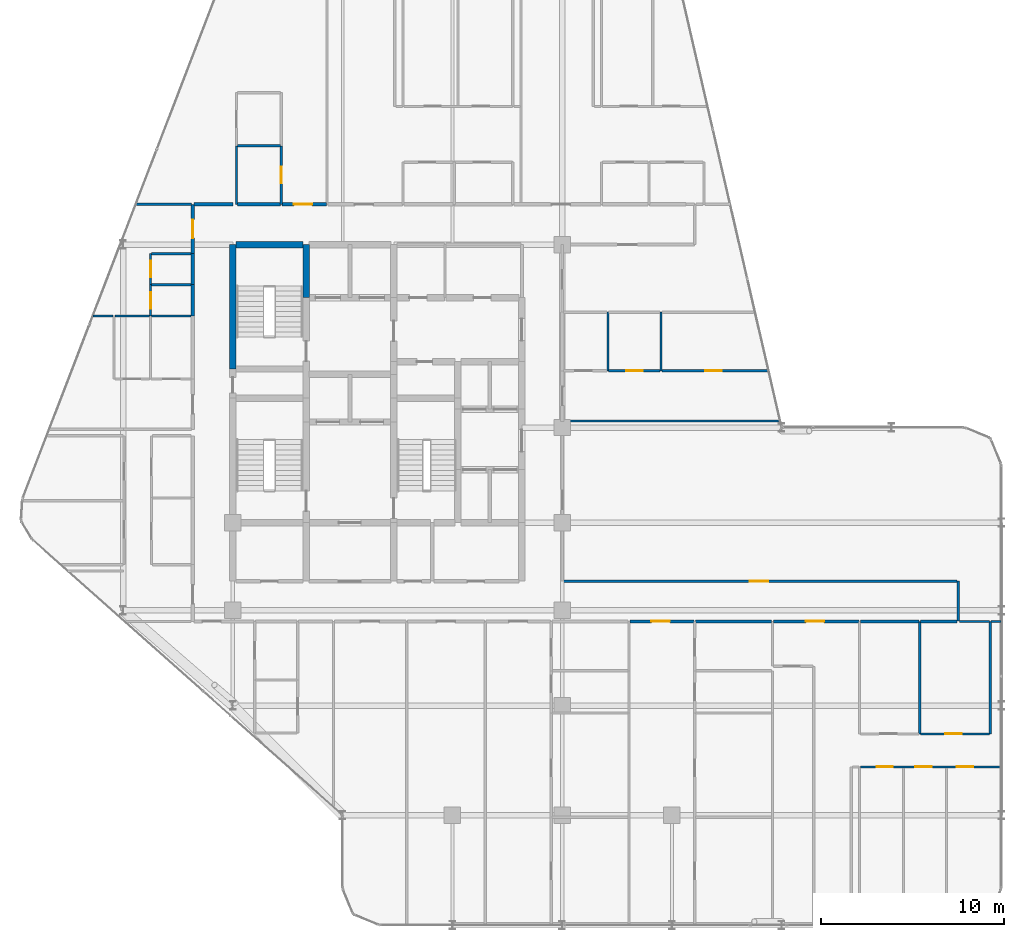
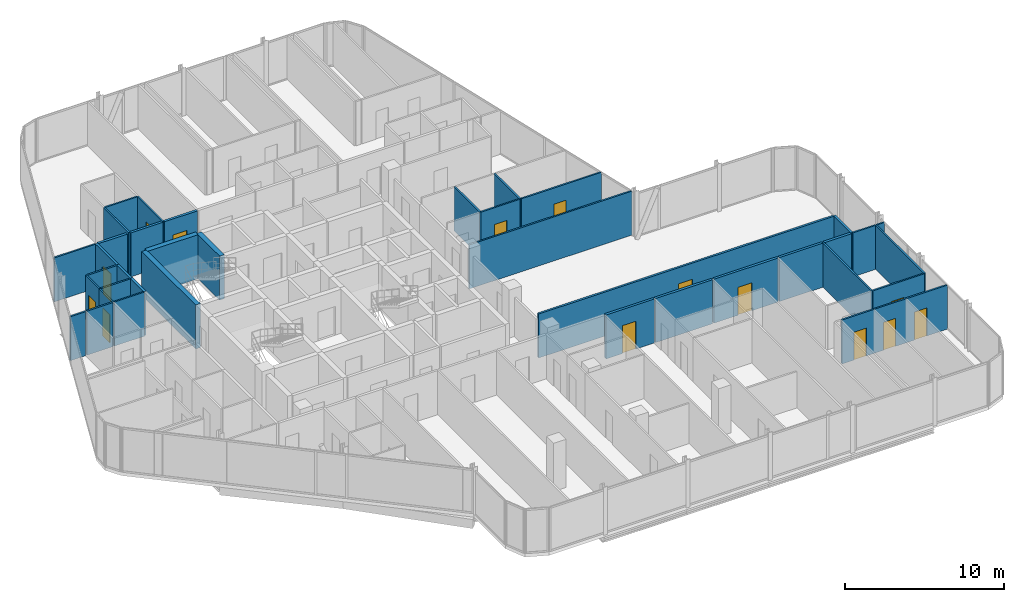
# One storey, part 26 of 29: 38 walls, 14 doors, 14 openings.
"""IFC4 building model written with IfcOpenShell, lengths in metres."""

from ifc_helpers import new_model, si_unit, direction, frame, frame_2d, origin, place, context, subcontext, project, spatial, rectangle, extrude, material, layer, layer_set, type_object, element, fill, save


model = new_model("IFC4")

# Units and contexts
model_context = context("Model", 3, precision=1e-05, world=origin(), true_north=direction((0.0, 1.0)))
body_context = subcontext(model_context, "Body", "Model", "MODEL_VIEW")
ifc_project = project(units=[si_unit("LENGTHUNIT", "METRE"), si_unit("AREAUNIT", "SQUARE_METRE"), si_unit("VOLUMEUNIT", "CUBIC_METRE"), si_unit("PLANEANGLEUNIT", "RADIAN"), si_unit("MASSUNIT", "GRAM", prefix="KILO")], contexts=[model_context])

# Site, building, storey
site_placement = place(None, origin())
site = spatial("IfcSite", under=ifc_project, at=site_placement, CompositionType="ELEMENT")
building_placement = place(site_placement, origin())
building = spatial("IfcBuilding", under=site, at=building_placement, Name="Keshet Zoharim Tower", CompositionType="ELEMENT")
storey_placement = place(building_placement, frame((0.0, 0.0, 199.5)))
storey = spatial("IfcBuildingStorey", under=building, at=storey_placement, Name="L49", CompositionType="ELEMENT", Elevation=199.5)

# Wall
ifc_material_1 = material(Name="Gypsum Plasterboard", Category="gypsum")
ifc_layer_1 = layer(ifc_material_1, 0.14990234375)
ifc_layer_set_1 = layer_set([ifc_layer_1], Name="Gypsum Plasterboard")
wall_type_1 = type_object("IfcWallType", Name="WL-CLIN-150", PredefinedType="STANDARD", material=ifc_layer_set_1)
wall_1_placement = place(storey_placement, frame((54.64990234375, 17.31005859375, 0.0), z_axis=(0.0, 0.0, 1.0), x_axis=(0.0, 1.0, 0.0)))
element("IfcWall", 1, at=wall_1_placement, inside=storey, type_object=wall_type_1, Name="L49 Interior Wall 100", PredefinedType="STANDARD", context=body_context, shape_type="SweptSolid", body=[
    extrude(rectangle(XDim=2.18994140625, YDim=0.14990234375, at=frame_2d((1.094970703125, 0.0))), origin(), (0.0, 0.0, 1.0), 3.389892578125),
])

# Wall, opening, door
wall_2_placement = place(storey_placement, frame((33.070068359375, 19.5, 0.0), z_axis=(0.0, 0.0, 1.0), x_axis=(1.0, 0.0, 0.0)))
wall_2 = element("IfcWall", 2, at=wall_2_placement, inside=storey, type_object=wall_type_1, Name="L49 Interior Wall 134", PredefinedType="STANDARD", context=body_context, shape_type="SweptSolid", body=[
    extrude(rectangle(XDim=21.510009765625, YDim=0.14990234375, at=frame_2d((10.7548828125, 0.0))), origin(), (0.0, 0.0, 1.0), 3.389892578125),
])
opening_1_placement = place(wall_2_placement, frame((10.18505859375, 0.0, 0.0)))
opening_1 = element("IfcOpeningElement", 3, at=opening_1_placement, cuts=wall_2, Name="Opening D-F310", PredefinedType="OPENING", context=body_context, shape_type="SweptSolid", body=[
    extrude(rectangle(XDim=1.0, YDim=2.14990234375, at=frame_2d((0.5, 1.074951171875))), frame((0.0, 0.0849609375, 0.0), z_axis=(0.0, -1.0, 0.0), x_axis=(1.0, 0.0, 0.0)), (0.0, 0.0, 1.0), 0.169921875),
])
ifc_material_2 = material(Name="Hardwood Timber", Category="wood")
door_type_1 = type_object("IfcDoorType", Name="DR-FD30-100", OperationType="NOTDEFINED", PredefinedType="DOOR", material=ifc_material_2)
door_1_placement = place(opening_1_placement, origin())
door_1 = element("IfcDoor", 4, at=door_1_placement, inside=storey, type_object=door_type_1, Name="L49 South East Residents Services Suite Door 1", OperationType="SINGLE_SWING_LEFT", OverallHeight=2.14990234375, OverallWidth=1.0, PredefinedType="DOOR", context=body_context, shape_type="SweptSolid", body=[
    extrude(rectangle(XDim=1.0, YDim=2.14990234375, at=frame_2d((0.5, 1.074951171875))), frame((0.0, 0.02490234375, 0.0), z_axis=(0.0, -1.0, 0.0), x_axis=(1.0, 0.0, 0.0)), (0.0, 0.0, 1.0), 0.050048828125),
])
fill(opening_1, door_1)

# Walls
ifc_material_3 = material(Name="Concrete C60/75", Category="concrete")
ifc_layer_2 = layer(ifc_material_3, 0.35009765625)
ifc_layer_set_2 = layer_set([ifc_layer_2], Name="Concrete C60/75")
wall_type_2 = type_object("IfcWallType", Name="WL-CORE-350", PredefinedType="SHEAR", material=ifc_layer_set_2)
wall_3_placement = place(storey_placement, frame((15.0, 31.10009765625, 0.0), z_axis=(0.0, 0.0, 1.0), x_axis=(0.0, 1.0, 0.0)))
element("IfcWall", 5, at=wall_3_placement, inside=storey, type_object=wall_type_2, Name="L49 Core Shear Wall 019", PredefinedType="SHEAR", context=body_context, shape_type="SweptSolid", body=[
    extrude(rectangle(XDim=6.7998046875, YDim=0.35009765625, at=frame_2d((3.39990234375, 0.0))), origin(), (0.0, 0.0, 1.0), 3.389892578125),
])
wall_4_placement = place(storey_placement, frame((19.0, 35.0, 0.0), z_axis=(0.0, 0.0, 1.0), x_axis=(0.0, 1.0, 0.0)))
element("IfcWall", 6, at=wall_4_placement, inside=storey, type_object=wall_type_2, Name="L49 Core Shear Wall 032", PredefinedType="SHEAR", context=body_context, shape_type="SweptSolid", body=[
    extrude(rectangle(XDim=2.89990234375, YDim=0.35009765625, at=frame_2d((1.449951171875, 0.0))), origin(), (0.0, 0.0, 1.0), 3.389892578125),
])
wall_5_placement = place(storey_placement, frame((15.159912109375, 37.89990234375, 0.0), z_axis=(0.0, 0.0, 1.0), x_axis=(1.0, 0.0, 0.0)))
element("IfcWall", 7, at=wall_5_placement, inside=storey, type_object=wall_type_2, Name="L49 Core Shear Wall 175", PredefinedType="SHEAR", context=body_context, shape_type="SweptSolid", body=[
    extrude(rectangle(XDim=3.68017578125, YDim=0.35009765625, at=frame_2d((1.840087890625, 0.0))), origin(), (0.0, 0.0, 1.0), 3.389892578125),
])
ifc_layer_3 = layer(ifc_material_1, 0.179931640625)
ifc_layer_set_3 = layer_set([ifc_layer_3], Name="Gypsum Plasterboard")
wall_type_3 = type_object("IfcWallType", Name="WL-CORR-180", PredefinedType="STANDARD", material=ifc_layer_set_3)
for number, where, z_axis, x_axis, name in (
    (8, (12.800048828125, 34.0, 0.0), (0.0, 0.0, 1.0), (0.0, 1.0, 0.0), "L49 Interior Wall 013"),
    (9, (12.800048828125, 35.7080078125, 0.0), (0.0, 0.0, 1.0), (0.0, 1.0, 0.0), "L49 Interior Wall 014"),
):
    element("IfcWall", number, at=place(storey_placement, frame(where, z_axis=z_axis, x_axis=x_axis)), inside=storey, type_object=wall_type_3, Name=name, PredefinedType="STANDARD", context=body_context, shape_type="SweptSolid", body=[
        extrude(rectangle(XDim=1.7080078125, YDim=0.179931640625, at=frame_2d((0.85400390625, 0.0))), origin(), (0.0, 0.0, 1.0), 3.389892578125),
    ])

# Wall, opening, door
wall_6_placement = place(storey_placement, frame((12.800048828125, 37.416015625, 0.0), z_axis=(0.0, 0.0, 1.0), x_axis=(0.0, 1.0, 0.0)))
wall_6 = element("IfcWall", 10, at=wall_6_placement, inside=storey, type_object=wall_type_3, Name="L49 Interior Wall 015", PredefinedType="STANDARD", context=body_context, shape_type="SweptSolid", body=[
    extrude(rectangle(XDim=2.68408203125, YDim=0.179931640625, at=frame_2d((1.342041015625, 0.0))), origin(), (0.0, 0.0, 1.0), 3.389892578125),
])
opening_2_placement = place(wall_6_placement, frame((0.842041015625, 0.0, 0.0)))
opening_2 = element("IfcOpeningElement", 11, at=opening_2_placement, cuts=wall_6, Name="Opening D-F310", PredefinedType="OPENING", context=body_context, shape_type="SweptSolid", body=[
    extrude(rectangle(XDim=1.0, YDim=2.14990234375, at=frame_2d((0.5, 1.074951171875))), frame((0.0, 0.10009765625, 0.0), z_axis=(0.0, -1.0, 0.0), x_axis=(1.0, 0.0, 0.0)), (0.0, 0.0, 1.0), 0.199951171875),
])
door_2_placement = place(opening_2_placement, origin())
door_2 = element("IfcDoor", 12, at=door_2_placement, inside=storey, type_object=door_type_1, Name="Apartment 4910 Entrance Door", OperationType="SINGLE_SWING_RIGHT", OverallHeight=2.14990234375, OverallWidth=1.0, PredefinedType="DOOR", context=body_context, shape_type="SweptSolid", body=[
    extrude(rectangle(XDim=1.0, YDim=2.14990234375, at=frame_2d((0.5, 1.074951171875))), frame((0.0, 0.02490234375, 0.0), z_axis=(0.0, -1.0, 0.0), x_axis=(1.0, 0.0, 0.0)), (0.0, 0.0, 1.0), 0.050048828125),
])
fill(opening_2, door_2)

wall_7_placement = place(storey_placement, frame((36.695068359375, 17.300048828125, 0.0), z_axis=(0.0, 0.0, 1.0), x_axis=(1.0, 0.0, 0.0)))
wall_7 = element("IfcWall", 13, at=wall_7_placement, inside=storey, type_object=wall_type_3, Name="L49 Interior Wall 123", PredefinedType="STANDARD", context=body_context, shape_type="SweptSolid", body=[
    extrude(rectangle(XDim=3.510009765625, YDim=0.179931640625, at=frame_2d((1.7548828125, 0.0))), origin(), (0.0, 0.0, 1.0), 3.389892578125),
])
opening_3_placement = place(wall_7_placement, frame((1.18505859375, 0.0, 0.0)))
opening_3 = element("IfcOpeningElement", 14, at=opening_3_placement, cuts=wall_7, Name="Opening D-F310", PredefinedType="OPENING", context=body_context, shape_type="SweptSolid", body=[
    extrude(rectangle(XDim=1.0, YDim=2.14990234375, at=frame_2d((0.5, 1.074951171875))), frame((0.0, 0.10009765625, 0.0), z_axis=(0.0, -1.0, 0.0), x_axis=(1.0, 0.0, 0.0)), (0.0, 0.0, 1.0), 0.199951171875),
])
door_3_placement = place(opening_3_placement, origin())
door_3 = element("IfcDoor", 15, at=door_3_placement, inside=storey, type_object=door_type_1, Name="Apartment 4903 Entrance Door", OperationType="SINGLE_SWING_LEFT", OverallHeight=2.14990234375, OverallWidth=1.0, PredefinedType="DOOR", context=body_context, shape_type="SweptSolid", body=[
    extrude(rectangle(XDim=1.0, YDim=2.14990234375, at=frame_2d((0.5, 1.074951171875))), frame((0.0, 0.02490234375, 0.0), z_axis=(0.0, -1.0, 0.0), x_axis=(1.0, 0.0, 0.0)), (0.0, 0.0, 1.0), 0.050048828125),
])
fill(opening_3, door_3)

# Wall
wall_8_placement = place(storey_placement, frame((40.294921875, 17.300048828125, 0.0), z_axis=(0.0, 0.0, 1.0), x_axis=(1.0, 0.0, 0.0)))
element("IfcWall", 16, at=wall_8_placement, inside=storey, type_object=wall_type_3, Name="L49 Interior Wall 124", PredefinedType="STANDARD", context=body_context, shape_type="SweptSolid", body=[
    extrude(rectangle(XDim=4.16015625, YDim=0.179931640625, at=frame_2d((2.080078125, 0.0))), origin(), (0.0, 0.0, 1.0), 3.389892578125),
])

# Wall, opening, door
wall_9_placement = place(storey_placement, frame((44.544921875, 17.300048828125, 0.0), z_axis=(0.0, 0.0, 1.0), x_axis=(1.0, 0.0, 0.0)))
wall_9 = element("IfcWall", 17, at=wall_9_placement, inside=storey, type_object=wall_type_3, Name="L49 Interior Wall 125", PredefinedType="STANDARD", context=body_context, shape_type="SweptSolid", body=[
    extrude(rectangle(XDim=4.68017578125, YDim=0.179931640625, at=frame_2d((2.340087890625, 0.0))), origin(), (0.0, 0.0, 1.0), 3.389892578125),
])
opening_4_placement = place(wall_9_placement, frame((1.76904296875, 0.0, 0.0)))
opening_4 = element("IfcOpeningElement", 18, at=opening_4_placement, cuts=wall_9, Name="Opening D-F310", PredefinedType="OPENING", context=body_context, shape_type="SweptSolid", body=[
    extrude(rectangle(XDim=1.0, YDim=2.14990234375, at=frame_2d((0.5, 1.074951171875))), frame((0.0, 0.10009765625, 0.0), z_axis=(0.0, -1.0, 0.0), x_axis=(1.0, 0.0, 0.0)), (0.0, 0.0, 1.0), 0.199951171875),
])
door_4_placement = place(opening_4_placement, origin())
door_4 = element("IfcDoor", 19, at=door_4_placement, inside=storey, type_object=door_type_1, Name="Apartment 4904 Entrance Door", OperationType="SINGLE_SWING_RIGHT", OverallHeight=2.14990234375, OverallWidth=1.0, PredefinedType="DOOR", context=body_context, shape_type="SweptSolid", body=[
    extrude(rectangle(XDim=1.0, YDim=2.14990234375, at=frame_2d((0.5, 1.074951171875))), frame((0.0, 0.02490234375, 0.0), z_axis=(0.0, -1.0, 0.0), x_axis=(1.0, 0.0, 0.0)), (0.0, 0.0, 1.0), 0.050048828125),
])
fill(opening_4, door_4)

# Walls
wall_10_placement = place(storey_placement, frame((49.31494140625, 17.300048828125, 0.0), z_axis=(0.0, 0.0, 1.0), x_axis=(1.0, 0.0, 0.0)))
element("IfcWall", 20, at=wall_10_placement, inside=storey, type_object=wall_type_3, Name="L49 Interior Wall 126", PredefinedType="STANDARD", context=body_context, shape_type="SweptSolid", body=[
    extrude(rectangle(XDim=3.18505859375, YDim=0.179931640625, at=frame_2d((1.592529296875, 0.0))), origin(), (0.0, 0.0, 1.0), 3.389892578125),
])
wall_11_placement = place(storey_placement, frame((52.590087890625, 17.300048828125, 0.0), z_axis=(0.0, 0.0, 1.0), x_axis=(1.0, 0.0, 0.0)))
element("IfcWall", 21, at=wall_11_placement, inside=storey, type_object=wall_type_3, Name="L49 Interior Wall 127", PredefinedType="STANDARD", context=body_context, shape_type="SweptSolid", body=[
    extrude(rectangle(XDim=1.989990234375, YDim=0.179931640625, at=frame_2d((0.9951171875, 0.0))), origin(), (0.0, 0.0, 1.0), 3.389892578125),
])
wall_12_placement = place(storey_placement, frame((12.875, 40.10009765625, 0.0), z_axis=(0.0, 0.0, 1.0), x_axis=(1.0, 0.0, 0.0)))
element("IfcWall", 22, at=wall_12_placement, inside=storey, type_object=wall_type_3, Name="L49 Interior Wall 181", PredefinedType="STANDARD", context=body_context, shape_type="SweptSolid", body=[
    extrude(rectangle(XDim=2.125, YDim=0.179931640625, at=frame_2d((1.0625, 0.0))), origin(), (0.0, 0.0, 1.0), 3.389892578125),
])
wall_13_placement = place(storey_placement, frame((15.2451171875, 40.10009765625, 0.0), z_axis=(0.0, 0.0, 1.0), x_axis=(1.0, 0.0, 0.0)))
element("IfcWall", 23, at=wall_13_placement, inside=storey, type_object=wall_type_3, Name="L49 Interior Wall 182", PredefinedType="STANDARD", context=body_context, shape_type="SweptSolid", body=[
    extrude(rectangle(XDim=2.35986328125, YDim=0.179931640625, at=frame_2d((1.179931640625, 0.0))), origin(), (0.0, 0.0, 1.0), 3.389892578125),
])

# Wall, opening, door
wall_14_placement = place(storey_placement, frame((17.695068359375, 40.10009765625, 0.0), z_axis=(0.0, 0.0, 1.0), x_axis=(1.0, 0.0, 0.0)))
wall_14 = element("IfcWall", 24, at=wall_14_placement, inside=storey, type_object=wall_type_3, Name="L49 Interior Wall 183", PredefinedType="STANDARD", context=body_context, shape_type="SweptSolid", body=[
    extrude(rectangle(XDim=2.409912109375, YDim=0.179931640625, at=frame_2d((1.205078125, 0.0))), origin(), (0.0, 0.0, 1.0), 3.389892578125),
])
opening_5_placement = place(wall_14_placement, frame((0.634033203125, 0.0, 0.0)))
opening_5 = element("IfcOpeningElement", 25, at=opening_5_placement, cuts=wall_14, Name="Opening D-F310", PredefinedType="OPENING", context=body_context, shape_type="SweptSolid", body=[
    extrude(rectangle(XDim=1.0, YDim=2.14990234375, at=frame_2d((0.5, 1.074951171875))), frame((0.0, 0.10009765625, 0.0), z_axis=(0.0, -1.0, 0.0), x_axis=(1.0, 0.0, 0.0)), (0.0, 0.0, 1.0), 0.199951171875),
])
door_5_placement = place(opening_5_placement, origin())
door_5 = element("IfcDoor", 26, at=door_5_placement, inside=storey, type_object=door_type_1, Name="Apartment 4905 Entrance Door", OperationType="SINGLE_SWING_RIGHT", OverallHeight=2.14990234375, OverallWidth=1.0, PredefinedType="DOOR", context=body_context, shape_type="SweptSolid", body=[
    extrude(rectangle(XDim=1.0, YDim=2.14990234375, at=frame_2d((0.5, 1.074951171875))), frame((0.0, 0.02490234375, 0.0), z_axis=(0.0, -1.0, 0.0), x_axis=(1.0, 0.0, 0.0)), (0.0, 0.0, 1.0), 0.050048828125),
])
fill(opening_5, door_5)

ifc_layer_4 = layer(ifc_material_1, 0.1201171875)
ifc_layer_set_4 = layer_set([ifc_layer_4], Name="Gypsum Plasterboard")
wall_type_4 = type_object("IfcWallType", Name="WL-PART-120", PredefinedType="PARTITIONING", material=ifc_layer_set_4)
wall_15_placement = place(storey_placement, frame((10.5, 34.0, 0.0), z_axis=(0.0, 0.0, 1.0), x_axis=(0.0, 1.0, 0.0)))
wall_15 = element("IfcWall", 27, at=wall_15_placement, inside=storey, type_object=wall_type_4, Name="L49 Interior Wall 004", PredefinedType="PARTITIONING", context=body_context, shape_type="SweptSolid", body=[
    extrude(rectangle(XDim=1.7080078125, YDim=0.1201171875, at=frame_2d((0.85400390625, 0.0))), origin(), (0.0, 0.0, 1.0), 3.389892578125),
])
opening_6_placement = place(wall_15_placement, frame((0.404052734375, 0.0, 0.0)))
opening_6 = element("IfcOpeningElement", 28, at=opening_6_placement, cuts=wall_15, Name="Opening D-IN90", PredefinedType="OPENING", context=body_context, shape_type="SweptSolid", body=[
    extrude(rectangle(XDim=0.89990234375, YDim=2.14990234375, at=frame_2d((0.449951171875, 1.074951171875))), frame((0.0, 0.070068359375, 0.0), z_axis=(0.0, -1.0, 0.0), x_axis=(1.0, 0.0, 0.0)), (0.0, 0.0, 1.0), 0.14013671875),
])
door_type_2 = type_object("IfcDoorType", Name="DR-INT-090", OperationType="NOTDEFINED", PredefinedType="DOOR", material=ifc_material_2)
door_6_placement = place(opening_6_placement, origin())
door_6 = element("IfcDoor", 29, at=door_6_placement, inside=storey, type_object=door_type_2, Name="Apartment 4910 Kitchenette Door", OperationType="SINGLE_SWING_RIGHT", OverallHeight=2.14990234375, OverallWidth=0.89990234375, PredefinedType="DOOR", context=body_context, shape_type="SweptSolid", body=[
    extrude(rectangle(XDim=0.89990234375, YDim=2.14990234375, at=frame_2d((0.449951171875, 1.074951171875))), frame((0.0, 0.02490234375, 0.0), z_axis=(0.0, -1.0, 0.0), x_axis=(1.0, 0.0, 0.0)), (0.0, 0.0, 1.0), 0.050048828125),
])
fill(opening_6, door_6)

# Wall
wall_16_placement = place(storey_placement, frame((15.199951171875, 40.10009765625, 0.0), z_axis=(0.0, 0.0, 1.0), x_axis=(0.0, 1.0, 0.0)))
element("IfcWall", 30, at=wall_16_placement, inside=storey, type_object=wall_type_4, Name="L49 Interior Wall 020", PredefinedType="PARTITIONING", context=body_context, shape_type="SweptSolid", body=[
    extrude(rectangle(XDim=3.199951171875, YDim=0.1201171875, at=frame_2d((1.60009765625, 0.0))), origin(), (0.0, 0.0, 1.0), 3.389892578125),
])

# Wall, opening, door
wall_17_placement = place(storey_placement, frame((17.64990234375, 40.10009765625, 0.0), z_axis=(0.0, 0.0, 1.0), x_axis=(0.0, 1.0, 0.0)))
wall_17 = element("IfcWall", 31, at=wall_17_placement, inside=storey, type_object=wall_type_4, Name="L49 Interior Wall 024", PredefinedType="PARTITIONING", context=body_context, shape_type="SweptSolid", body=[
    extrude(rectangle(XDim=3.199951171875, YDim=0.1201171875, at=frame_2d((1.60009765625, 0.0))), origin(), (0.0, 0.0, 1.0), 3.389892578125),
])
opening_7_placement = place(wall_17_placement, frame((1.14990234375, 0.0, 0.0)))
opening_7 = element("IfcOpeningElement", 32, at=opening_7_placement, cuts=wall_17, Name="Opening D-IN90", PredefinedType="OPENING", context=body_context, shape_type="SweptSolid", body=[
    extrude(rectangle(XDim=0.89990234375, YDim=2.14990234375, at=frame_2d((0.449951171875, 1.074951171875))), frame((0.0, 0.070068359375, 0.0), z_axis=(0.0, -1.0, 0.0), x_axis=(1.0, 0.0, 0.0)), (0.0, 0.0, 1.0), 0.14013671875),
])
door_7_placement = place(opening_7_placement, origin())
door_7 = element("IfcDoor", 33, at=door_7_placement, inside=storey, type_object=door_type_2, Name="Apartment 4905 Kitchenette Door", OperationType="SINGLE_SWING_RIGHT", OverallHeight=2.14990234375, OverallWidth=0.89990234375, PredefinedType="DOOR", context=body_context, shape_type="SweptSolid", body=[
    extrude(rectangle(XDim=0.89990234375, YDim=2.14990234375, at=frame_2d((0.449951171875, 1.074951171875))), frame((0.0, 0.02490234375, 0.0), z_axis=(0.0, -1.0, 0.0), x_axis=(1.0, 0.0, 0.0)), (0.0, 0.0, 1.0), 0.050048828125),
])
fill(opening_7, door_7)

# Wall, openings, doors
wall_18_placement = place(storey_placement, frame((49.31494140625, 9.35009765625, 0.0), z_axis=(0.0, 0.0, 1.0), x_axis=(1.0, 0.0, 0.0)))
wall_18 = element("IfcWall", 34, at=wall_18_placement, inside=storey, type_object=wall_type_4, Name="L49 Interior Wall 105", PredefinedType="PARTITIONING", context=body_context, shape_type="SweptSolid", body=[
    extrude(rectangle(XDim=7.675048828125, YDim=0.1201171875, at=frame_2d((3.83740234375, 0.0))), origin(), (0.0, 0.0, 1.0), 3.389892578125),
])
opening_8_placement = place(wall_18_placement, frame((0.866943359375, 0.0, 0.0)))
opening_8 = element("IfcOpeningElement", 35, at=opening_8_placement, cuts=wall_18, Name="Opening D-IN90", PredefinedType="OPENING", context=body_context, shape_type="SweptSolid", body=[
    extrude(rectangle(XDim=0.89990234375, YDim=2.14990234375, at=frame_2d((0.449951171875, 1.074951171875))), frame((0.0, 0.070068359375, 0.0), z_axis=(0.0, -1.0, 0.0), x_axis=(1.0, 0.0, 0.0)), (0.0, 0.0, 1.0), 0.14013671875),
])
opening_9_placement = place(wall_18_placement, frame((2.993896484375, 0.0, 0.0)))
opening_9 = element("IfcOpeningElement", 36, at=opening_9_placement, cuts=wall_18, Name="Opening D-IN90", PredefinedType="OPENING", context=body_context, shape_type="SweptSolid", body=[
    extrude(rectangle(XDim=0.89990234375, YDim=2.14990234375, at=frame_2d((0.449951171875, 1.074951171875))), frame((0.0, 0.070068359375, 0.0), z_axis=(0.0, -1.0, 0.0), x_axis=(1.0, 0.0, 0.0)), (0.0, 0.0, 1.0), 0.14013671875),
])
opening_10_placement = place(wall_18_placement, frame((5.263916015625, 0.0, 0.0)))
opening_10 = element("IfcOpeningElement", 37, at=opening_10_placement, cuts=wall_18, Name="Opening D-IN90", PredefinedType="OPENING", context=body_context, shape_type="SweptSolid", body=[
    extrude(rectangle(XDim=0.89990234375, YDim=2.14990234375, at=frame_2d((0.449951171875, 1.074951171875))), frame((0.0, 0.070068359375, 0.0), z_axis=(0.0, -1.0, 0.0), x_axis=(1.0, 0.0, 0.0)), (0.0, 0.0, 1.0), 0.14013671875),
])
door_8_placement = place(opening_8_placement, origin())
door_8 = element("IfcDoor", 38, at=door_8_placement, inside=storey, type_object=door_type_2, Name="Apartment 4904 Bedroom 1 Door", OperationType="SINGLE_SWING_LEFT", OverallHeight=2.14990234375, OverallWidth=0.89990234375, PredefinedType="DOOR", context=body_context, shape_type="SweptSolid", body=[
    extrude(rectangle(XDim=0.89990234375, YDim=2.14990234375, at=frame_2d((0.449951171875, 1.074951171875))), frame((0.0, 0.02490234375, 0.0), z_axis=(0.0, -1.0, 0.0), x_axis=(1.0, 0.0, 0.0)), (0.0, 0.0, 1.0), 0.050048828125),
])
fill(opening_8, door_8)
door_9_placement = place(opening_9_placement, origin())
door_9 = element("IfcDoor", 39, at=door_9_placement, inside=storey, type_object=door_type_2, Name="Apartment 4904 Bedroom 2 Door", OperationType="SINGLE_SWING_RIGHT", OverallHeight=2.14990234375, OverallWidth=0.89990234375, PredefinedType="DOOR", context=body_context, shape_type="SweptSolid", body=[
    extrude(rectangle(XDim=0.89990234375, YDim=2.14990234375, at=frame_2d((0.449951171875, 1.074951171875))), frame((0.0, 0.02490234375, 0.0), z_axis=(0.0, -1.0, 0.0), x_axis=(1.0, 0.0, 0.0)), (0.0, 0.0, 1.0), 0.050048828125),
])
fill(opening_9, door_9)
door_10_placement = place(opening_10_placement, origin())
door_10 = element("IfcDoor", 40, at=door_10_placement, inside=storey, type_object=door_type_2, Name="Apartment 4904 Bedroom 3 Door", OperationType="SINGLE_SWING_LEFT", OverallHeight=2.14990234375, OverallWidth=0.89990234375, PredefinedType="DOOR", context=body_context, shape_type="SweptSolid", body=[
    extrude(rectangle(XDim=0.89990234375, YDim=2.14990234375, at=frame_2d((0.449951171875, 1.074951171875))), frame((0.0, 0.02490234375, 0.0), z_axis=(0.0, -1.0, 0.0), x_axis=(1.0, 0.0, 0.0)), (0.0, 0.0, 1.0), 0.050048828125),
])
fill(opening_10, door_10)

# Walls
wall_19_placement = place(storey_placement, frame((56.43505859375, 17.300048828125, 0.0), z_axis=(0.0, 0.0, 1.0), x_axis=(1.0, 0.0, 0.0)))
element("IfcWall", 41, at=wall_19_placement, inside=storey, type_object=wall_type_4, Name="L49 Interior Wall 129", PredefinedType="PARTITIONING", context=body_context, shape_type="SweptSolid", body=[
    extrude(rectangle(XDim=0.554931640625, YDim=0.1201171875, at=frame_2d((0.27734375, 0.0))), origin(), (0.0, 0.0, 1.0), 3.389892578125),
])
wall_20_placement = place(storey_placement, frame((33.0849609375, 28.25, 0.0), z_axis=(0.0, 0.0, 1.0), x_axis=(1.0, 0.0, 0.0)))
element("IfcWall", 42, at=wall_20_placement, inside=storey, type_object=wall_type_4, Name="L49 Interior Wall 151", PredefinedType="PARTITIONING", context=body_context, shape_type="SweptSolid", body=[
    extrude(rectangle(XDim=11.823974609375, YDim=0.1201171875, at=frame_2d((5.912109375, 0.0))), origin(), (0.0, 0.0, 1.0), 3.389892578125),
])

# Wall, opening, door
wall_21_placement = place(storey_placement, frame((38.445068359375, 31.0, 0.0), z_axis=(0.0, 0.0, 1.0), x_axis=(1.0, 0.0, 0.0)))
wall_21 = element("IfcWall", 43, at=wall_21_placement, inside=storey, type_object=wall_type_4, Name="L49 Interior Wall 160", PredefinedType="PARTITIONING", context=body_context, shape_type="SweptSolid", body=[
    extrude(rectangle(XDim=5.829833984375, YDim=0.1201171875, at=frame_2d((2.9150390625, 0.0))), origin(), (0.0, 0.0, 1.0), 3.389892578125),
])
opening_11_placement = place(wall_21_placement, frame((2.368896484375, 0.0, 0.0)))
opening_11 = element("IfcOpeningElement", 44, at=opening_11_placement, cuts=wall_21, Name="Opening D-IN90", PredefinedType="OPENING", context=body_context, shape_type="SweptSolid", body=[
    extrude(rectangle(XDim=0.89990234375, YDim=2.14990234375, at=frame_2d((0.449951171875, 1.074951171875))), frame((0.0, 0.070068359375, 0.0), z_axis=(0.0, -1.0, 0.0), x_axis=(1.0, 0.0, 0.0)), (0.0, 0.0, 1.0), 0.14013671875),
])
door_11_placement = place(opening_11_placement, origin())
door_11 = element("IfcDoor", 45, at=door_11_placement, inside=storey, type_object=door_type_2, Name="Apartment 4911 Bedroom 1 Door", OperationType="SINGLE_SWING_LEFT", OverallHeight=2.14990234375, OverallWidth=0.89990234375, PredefinedType="DOOR", context=body_context, shape_type="SweptSolid", body=[
    extrude(rectangle(XDim=0.89990234375, YDim=2.14990234375, at=frame_2d((0.449951171875, 1.074951171875))), frame((0.0, 0.02490234375, 0.0), z_axis=(0.0, -1.0, 0.0), x_axis=(1.0, 0.0, 0.0)), (0.0, 0.0, 1.0), 0.050048828125),
])
fill(opening_11, door_11)

# Walls
wall_22_placement = place(storey_placement, frame((7.35595703125, 34.0, 0.0), z_axis=(0.0, 0.0, 1.0), x_axis=(1.0, 0.0, 0.0)))
element("IfcWall", 46, at=wall_22_placement, inside=storey, type_object=wall_type_4, Name="L49 Interior Wall 164", PredefinedType="PARTITIONING", context=body_context, shape_type="SweptSolid", body=[
    extrude(rectangle(XDim=1.09912109375, YDim=0.1201171875, at=frame_2d((0.549560546875, 0.0))), origin(), (0.0, 0.0, 1.0), 3.389892578125),
])
wall_23_placement = place(storey_placement, frame((8.544921875, 34.0, 0.0), z_axis=(0.0, 0.0, 1.0), x_axis=(1.0, 0.0, 0.0)))
element("IfcWall", 47, at=wall_23_placement, inside=storey, type_object=wall_type_4, Name="L49 Interior Wall 165", PredefinedType="PARTITIONING", context=body_context, shape_type="SweptSolid", body=[
    extrude(rectangle(XDim=1.88818359375, YDim=0.1201171875, at=frame_2d((0.944091796875, 0.0))), origin(), (0.0, 0.0, 1.0), 3.389892578125),
])
wall_24_placement = place(storey_placement, frame((9.701904296875, 40.10009765625, 0.0), z_axis=(0.0, 0.0, 1.0), x_axis=(1.0, 0.0, 0.0)))
element("IfcWall", 48, at=wall_24_placement, inside=storey, type_object=wall_type_4, Name="L49 Interior Wall 180", PredefinedType="PARTITIONING", context=body_context, shape_type="SweptSolid", body=[
    extrude(rectangle(XDim=3.023193359375, YDim=0.1201171875, at=frame_2d((1.51171875, 0.0))), origin(), (0.0, 0.0, 1.0), 3.389892578125),
])

# Wall, opening, door
ifc_layer_5 = layer(ifc_material_1, 0.1201171875)
ifc_layer_set_5 = layer_set([ifc_layer_5], Name="Gypsum Plasterboard")
wall_type_5 = type_object("IfcWallType", Name="WL-WET-120", PredefinedType="PARTITIONING", material=ifc_layer_set_5)
wall_25_placement = place(storey_placement, frame((10.5, 35.7080078125, 0.0), z_axis=(0.0, 0.0, 1.0), x_axis=(0.0, 1.0, 0.0)))
wall_25 = element("IfcWall", 49, at=wall_25_placement, inside=storey, type_object=wall_type_5, Name="L49 Interior Wall 005", PredefinedType="PARTITIONING", context=body_context, shape_type="SweptSolid", body=[
    extrude(rectangle(XDim=1.7080078125, YDim=0.1201171875, at=frame_2d((0.85400390625, 0.0))), origin(), (0.0, 0.0, 1.0), 3.389892578125),
])
opening_12_placement = place(wall_25_placement, frame((0.404052734375, 0.0, 0.0)))
opening_12 = element("IfcOpeningElement", 50, at=opening_12_placement, cuts=wall_25, Name="Opening D-WT90", PredefinedType="OPENING", context=body_context, shape_type="SweptSolid", body=[
    extrude(rectangle(XDim=0.89990234375, YDim=2.10009765625, at=frame_2d((0.449951171875, 1.050048828125))), frame((0.0, 0.070068359375, 0.0), z_axis=(0.0, -1.0, 0.0), x_axis=(1.0, 0.0, 0.0)), (0.0, 0.0, 1.0), 0.14013671875),
])
door_type_3 = type_object("IfcDoorType", Name="DR-WET-090", OperationType="NOTDEFINED", PredefinedType="DOOR", material=ifc_material_2)
door_12_placement = place(opening_12_placement, origin())
door_12 = element("IfcDoor", 51, at=door_12_placement, inside=storey, type_object=door_type_3, Name="Apartment 4910 Bathroom Door", OperationType="SINGLE_SWING_LEFT", OverallHeight=2.10009765625, OverallWidth=0.89990234375, PredefinedType="DOOR", context=body_context, shape_type="SweptSolid", body=[
    extrude(rectangle(XDim=0.89990234375, YDim=2.10009765625, at=frame_2d((0.449951171875, 1.050048828125))), frame((0.0, 0.02490234375, 0.0), z_axis=(0.0, -1.0, 0.0), x_axis=(1.0, 0.0, 0.0)), (0.0, 0.0, 1.0), 0.050048828125),
])
fill(opening_12, door_12)

# Walls
for number, where, z_axis, x_axis, name in (
    (52, (35.5, 30.989990234375, 0.0), (0.0, 0.0, 1.0), (0.0, 1.0, 0.0), "L49 Interior Wall 078"),
    (53, (38.39990234375, 30.989990234375, 0.0), (0.0, 0.0, 1.0), (0.0, 1.0, 0.0), "L49 Interior Wall 084"),
):
    element("IfcWall", number, at=place(storey_placement, frame(where, z_axis=z_axis, x_axis=x_axis)), inside=storey, type_object=wall_type_5, Name=name, PredefinedType="PARTITIONING", context=body_context, shape_type="SweptSolid", body=[
        extrude(rectangle(XDim=3.22998046875, YDim=0.1201171875, at=frame_2d((1.614990234375, 0.0))), origin(), (0.0, 0.0, 1.0), 3.389892578125),
    ])
for number, where, z_axis, x_axis, name in (
    (54, (52.550048828125, 11.14990234375, 0.0), (0.0, 0.0, 1.0), (0.0, 1.0, 0.0), "L49 Interior Wall 098"),
    (55, (56.39990234375, 11.14990234375, 0.0), (0.0, 0.0, 1.0), (0.0, 1.0, 0.0), "L49 Interior Wall 101"),
):
    element("IfcWall", number, at=place(storey_placement, frame(where, z_axis=z_axis, x_axis=x_axis)), inside=storey, type_object=wall_type_5, Name=name, PredefinedType="PARTITIONING", context=body_context, shape_type="SweptSolid", body=[
        extrude(rectangle(XDim=6.150146484375, YDim=0.1201171875, at=frame_2d((3.0751953125, 0.0))), origin(), (0.0, 0.0, 1.0), 3.389892578125),
    ])

# Wall, opening, door
wall_26_placement = place(storey_placement, frame((52.590087890625, 11.14990234375, 0.0), z_axis=(0.0, 0.0, 1.0), x_axis=(1.0, 0.0, 0.0)))
wall_26 = element("IfcWall", 56, at=wall_26_placement, inside=storey, type_object=wall_type_5, Name="L49 Interior Wall 107", PredefinedType="PARTITIONING", context=body_context, shape_type="SweptSolid", body=[
    extrude(rectangle(XDim=3.7548828125, YDim=0.1201171875, at=frame_2d((1.87744140625, 0.0))), origin(), (0.0, 0.0, 1.0), 3.389892578125),
])
opening_13_placement = place(wall_26_placement, frame((1.35595703125, 0.0, 0.0)))
opening_13 = element("IfcOpeningElement", 57, at=opening_13_placement, cuts=wall_26, Name="Opening D-WT90", PredefinedType="OPENING", context=body_context, shape_type="SweptSolid", body=[
    extrude(rectangle(XDim=0.89990234375, YDim=2.10009765625, at=frame_2d((0.449951171875, 1.050048828125))), frame((0.0, 0.070068359375, 0.0), z_axis=(0.0, -1.0, 0.0), x_axis=(1.0, 0.0, 0.0)), (0.0, 0.0, 1.0), 0.14013671875),
])
door_13_placement = place(opening_13_placement, origin())
door_13 = element("IfcDoor", 58, at=door_13_placement, inside=storey, type_object=door_type_3, Name="Apartment 4904 Bathroom Door", OperationType="SINGLE_SWING_LEFT", OverallHeight=2.10009765625, OverallWidth=0.89990234375, PredefinedType="DOOR", context=body_context, shape_type="SweptSolid", body=[
    extrude(rectangle(XDim=0.89990234375, YDim=2.10009765625, at=frame_2d((0.449951171875, 1.050048828125))), frame((0.0, 0.02490234375, 0.0), z_axis=(0.0, -1.0, 0.0), x_axis=(1.0, 0.0, 0.0)), (0.0, 0.0, 1.0), 0.050048828125),
])
fill(opening_13, door_13)

# Wall
wall_27_placement = place(storey_placement, frame((54.7099609375, 17.300048828125, 0.0), z_axis=(0.0, 0.0, 1.0), x_axis=(1.0, 0.0, 0.0)))
element("IfcWall", 59, at=wall_27_placement, inside=storey, type_object=wall_type_5, Name="L49 Interior Wall 128", PredefinedType="PARTITIONING", context=body_context, shape_type="SweptSolid", body=[
    extrude(rectangle(XDim=1.635009765625, YDim=0.1201171875, at=frame_2d((0.8173828125, 0.0))), origin(), (0.0, 0.0, 1.0), 3.389892578125),
])

# Wall, opening, door
wall_28_placement = place(storey_placement, frame((35.529052734375, 31.0, 0.0), z_axis=(0.0, 0.0, 1.0), x_axis=(1.0, 0.0, 0.0)))
wall_28 = element("IfcWall", 60, at=wall_28_placement, inside=storey, type_object=wall_type_5, Name="L49 Interior Wall 159", PredefinedType="PARTITIONING", context=body_context, shape_type="SweptSolid", body=[
    extrude(rectangle(XDim=2.825927734375, YDim=0.1201171875, at=frame_2d((1.4130859375, 0.0))), origin(), (0.0, 0.0, 1.0), 3.389892578125),
])
opening_14_placement = place(wall_28_placement, frame((0.962890625, 0.0, 0.0)))
opening_14 = element("IfcOpeningElement", 61, at=opening_14_placement, cuts=wall_28, Name="Opening D-WT90", PredefinedType="OPENING", context=body_context, shape_type="SweptSolid", body=[
    extrude(rectangle(XDim=0.89990234375, YDim=2.10009765625, at=frame_2d((0.449951171875, 1.050048828125))), frame((0.0, 0.070068359375, 0.0), z_axis=(0.0, -1.0, 0.0), x_axis=(1.0, 0.0, 0.0)), (0.0, 0.0, 1.0), 0.14013671875),
])
door_14_placement = place(opening_14_placement, origin())
door_14 = element("IfcDoor", 62, at=door_14_placement, inside=storey, type_object=door_type_3, Name="Apartment 4911 Bathroom Door", OperationType="SINGLE_SWING_RIGHT", OverallHeight=2.10009765625, OverallWidth=0.89990234375, PredefinedType="DOOR", context=body_context, shape_type="SweptSolid", body=[
    extrude(rectangle(XDim=0.89990234375, YDim=2.10009765625, at=frame_2d((0.449951171875, 1.050048828125))), frame((0.0, 0.02490234375, 0.0), z_axis=(0.0, -1.0, 0.0), x_axis=(1.0, 0.0, 0.0)), (0.0, 0.0, 1.0), 0.050048828125),
])
fill(opening_14, door_14)

# Walls
for number, where, z_axis, x_axis, name in (
    (63, (10.544921875, 34.0, 0.0), (0.0, 0.0, 1.0), (1.0, 0.0, 0.0), "L49 Interior Wall 166"),
    (64, (10.544921875, 35.699951171875, 0.0), (0.0, 0.0, 1.0), (1.0, 0.0, 0.0), "L49 Interior Wall 173"),
    (65, (10.544921875, 37.39990234375, 0.0), (0.0, 0.0, 1.0), (1.0, 0.0, 0.0), "L49 Interior Wall 174"),
):
    element("IfcWall", number, at=place(storey_placement, frame(where, z_axis=z_axis, x_axis=x_axis)), inside=storey, type_object=wall_type_5, Name=name, PredefinedType="PARTITIONING", context=body_context, shape_type="SweptSolid", body=[
        extrude(rectangle(XDim=2.18017578125, YDim=0.1201171875, at=frame_2d((1.090087890625, 0.0))), origin(), (0.0, 0.0, 1.0), 3.389892578125),
    ])
wall_29_placement = place(storey_placement, frame((15.2451171875, 43.300048828125, 0.0), z_axis=(0.0, 0.0, 1.0), x_axis=(1.0, 0.0, 0.0)))
element("IfcWall", 66, at=wall_29_placement, inside=storey, type_object=wall_type_5, Name="L49 Interior Wall 197", PredefinedType="PARTITIONING", context=body_context, shape_type="SweptSolid", body=[
    extrude(rectangle(XDim=2.35986328125, YDim=0.1201171875, at=frame_2d((1.179931640625, 0.0))), origin(), (0.0, 0.0, 1.0), 3.389892578125),
])

save(model, "model.ifc")
